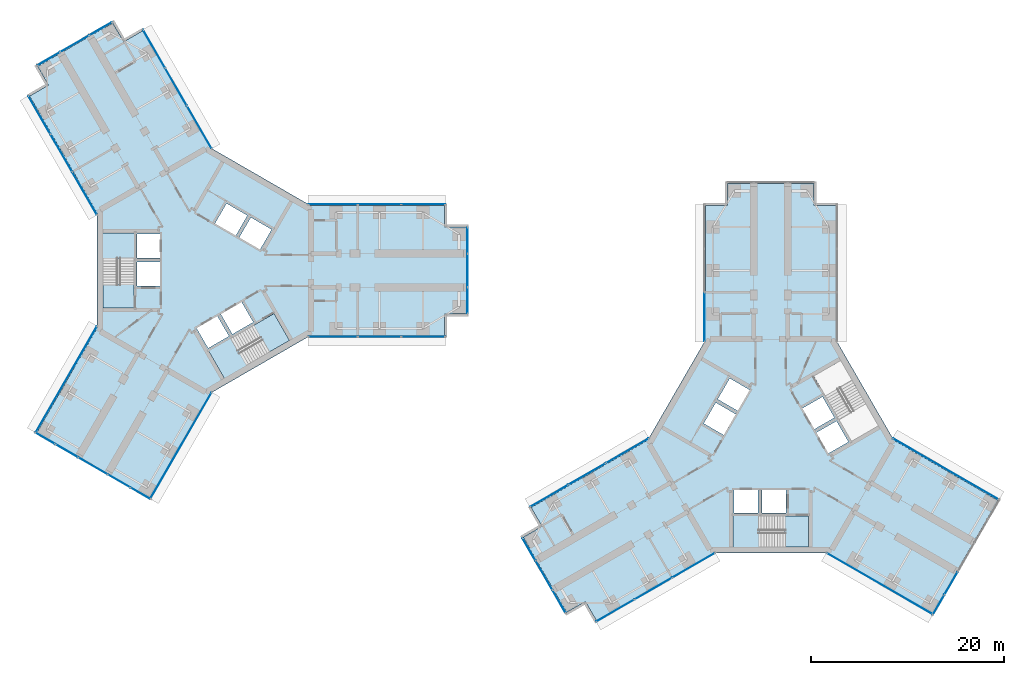
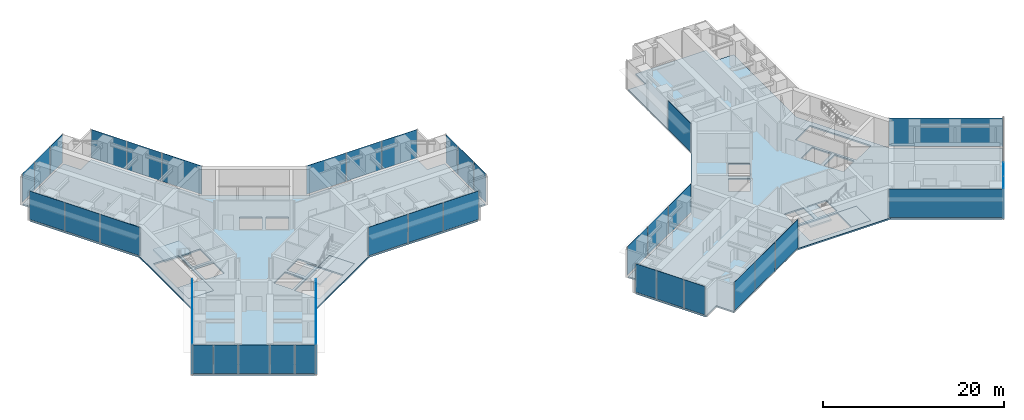
# One storey, part 13 of 21: 39 plates, 8 slabs, 19 elements without a shape of their own.
"""IFC4 building model written with IfcOpenShell, lengths in metres."""

from ifc_helpers import new_model, si_unit, direction, frame, origin, origin_2d, place, context, subcontext, project, spatial, polyline, rectangle, outline, extrude, material, layer, layer_set, type_object, element, aggregate, save


model = new_model("IFC4")

# Units and contexts
model_context = context("Model", 3, precision=1e-05, world=origin(), true_north=direction((0.0, 1.0)))
body_context = subcontext(model_context, "Body", "Model", "MODEL_VIEW")
ifc_project = project(units=[si_unit("LENGTHUNIT", "METRE"), si_unit("AREAUNIT", "SQUARE_METRE"), si_unit("VOLUMEUNIT", "CUBIC_METRE"), si_unit("PLANEANGLEUNIT", "RADIAN"), si_unit("MASSUNIT", "GRAM", prefix="KILO")], contexts=[model_context])

# Site, building, storey
site_placement = place(None, origin())
site = spatial("IfcSite", under=ifc_project, at=site_placement, CompositionType="ELEMENT")
building_placement = place(site_placement, origin())
building = spatial("IfcBuilding", under=site, at=building_placement, Name="Upepo Twin Towers", CompositionType="ELEMENT")
storey_placement = place(building_placement, frame((0.0, 0.0, 101.5)))
storey = spatial("IfcBuildingStorey", under=building, at=storey_placement, Name="L24", CompositionType="ELEMENT", Elevation=101.5)

# Curtain wall, plates
ifc_material_1 = material(Name="Aluminium and fritted glass", Category="aluminium")
curtain_wall_type = type_object("IfcCurtainWallType", Name="Tower curtain wall TW2, fritted glass", PredefinedType="NOTDEFINED", material=ifc_material_1)
curtain_wall_1_placement = place(storey_placement, origin())
curtain_wall_1 = element("IfcCurtainWall", 1, at=curtain_wall_1_placement, inside=storey, type_object=curtain_wall_type, Name="T1 L24 wing A flank L curtain wall", PredefinedType="NOTDEFINED")
ifc_material_2 = material(Name="Ceramic-fritted laminated glass", Category="glass")
ifc_layer_1 = layer(ifc_material_2, 0.031982421875)
ifc_layer_set_1 = layer_set([ifc_layer_1], Name="Fritted glass panel, 35 per cent dot frit, 32 mm double glazed")
plate_type_1 = type_object("IfcPlateType", Name="Fritted glass panel, 35 per cent dot frit, 32 mm double glazed", PredefinedType="CURTAIN_PANEL", material=ifc_layer_set_1)
plate_1_placement = place(storey_placement, frame((13.184814453125, 6.85009765625, 0.14990234375), z_axis=(0.0, 0.0, 1.0), x_axis=(1.0, 0.0, 0.0)))
plate_1 = element("IfcPlate", 2, at=plate_1_placement, type_object=plate_type_1, Name="T1 L24 wing A flank L curtain wall panel 1", PredefinedType="CURTAIN_PANEL", context=body_context, shape_type="SweptSolid", body=[
    extrude(rectangle(XDim=5.0654296875, YDim=0.031982421875, at=origin_2d()), origin(), (0.0, 0.0, 1.0), 3.85009765625),
])
plate_2_placement = place(storey_placement, frame((18.0, 6.85009765625, 0.14990234375), z_axis=(0.0, 0.0, 1.0), x_axis=(1.0, 0.0, 0.0)))
plate_2 = element("IfcPlate", 3, at=plate_2_placement, type_object=plate_type_1, Name="T1 L24 wing A flank L curtain wall panel 2", PredefinedType="CURTAIN_PANEL", context=body_context, shape_type="SweptSolid", body=[
    extrude(rectangle(XDim=4.43505859375, YDim=0.031982421875, at=origin_2d()), origin(), (0.0, 0.0, 1.0), 3.85009765625),
])
plate_3_placement = place(storey_placement, frame((22.53369140625, 6.85009765625, 0.14990234375), z_axis=(0.0, 0.0, 1.0), x_axis=(1.0, 0.0, 0.0)))
plate_3 = element("IfcPlate", 4, at=plate_3_placement, type_object=plate_type_1, Name="T1 L24 wing A flank L curtain wall panel 3", PredefinedType="CURTAIN_PANEL", context=body_context, shape_type="SweptSolid", body=[
    extrude(rectangle(XDim=4.50244140625, YDim=0.031982421875, at=origin_2d()), origin(), (0.0, 0.0, 1.0), 3.85009765625),
])
aggregate(curtain_wall_1, [plate_1, plate_2, plate_3])

curtain_wall_2_placement = place(storey_placement, origin())
curtain_wall_2 = element("IfcCurtainWall", 5, at=curtain_wall_2_placement, inside=storey, type_object=curtain_wall_type, Name="T1 L24 wing A flank R curtain wall", PredefinedType="NOTDEFINED")
plate_4_placement = place(storey_placement, frame((22.53369140625, -6.85009765625, 0.14990234375), z_axis=(0.0, 0.0, 1.0), x_axis=(-1.0, 0.0, 0.0)))
plate_4 = element("IfcPlate", 6, at=plate_4_placement, type_object=plate_type_1, Name="T1 L24 wing A flank R curtain wall panel 1", PredefinedType="CURTAIN_PANEL", context=body_context, shape_type="SweptSolid", body=[
    extrude(rectangle(XDim=4.50244140625, YDim=0.031982421875, at=origin_2d()), origin(), (0.0, 0.0, 1.0), 3.85009765625),
])
plate_5_placement = place(storey_placement, frame((18.0, -6.85009765625, 0.14990234375), z_axis=(0.0, 0.0, 1.0), x_axis=(-1.0, 0.0, 0.0)))
plate_5 = element("IfcPlate", 7, at=plate_5_placement, type_object=plate_type_1, Name="T1 L24 wing A flank R curtain wall panel 2", PredefinedType="CURTAIN_PANEL", context=body_context, shape_type="SweptSolid", body=[
    extrude(rectangle(XDim=4.43505859375, YDim=0.031982421875, at=origin_2d()), origin(), (0.0, 0.0, 1.0), 3.85009765625),
])
plate_6_placement = place(storey_placement, frame((13.184814453125, -6.85009765625, 0.14990234375), z_axis=(0.0, 0.0, 1.0), x_axis=(-1.0, 0.0, 0.0)))
plate_6 = element("IfcPlate", 8, at=plate_6_placement, type_object=plate_type_1, Name="T1 L24 wing A flank R curtain wall panel 3", PredefinedType="CURTAIN_PANEL", context=body_context, shape_type="SweptSolid", body=[
    extrude(rectangle(XDim=5.0654296875, YDim=0.031982421875, at=origin_2d()), origin(), (0.0, 0.0, 1.0), 3.85009765625),
])
aggregate(curtain_wall_2, [plate_4, plate_5, plate_6])

# Curtain wall, plate
curtain_wall_3_placement = place(storey_placement, origin())
curtain_wall_3 = element("IfcCurtainWall", 9, at=curtain_wall_3_placement, inside=storey, type_object=curtain_wall_type, Name="T1 L24 wing A nose curtain wall", PredefinedType="NOTDEFINED")
plate_7_placement = place(storey_placement, frame((27.10009765625, 0.0, 0.14990234375), z_axis=(0.0, 0.0, 1.0), x_axis=(0.0, 1.0, 0.0)))
plate_7 = element("IfcPlate", 10, at=plate_7_placement, type_object=plate_type_1, Name="T1 L24 wing A nose curtain wall panel 2", PredefinedType="CURTAIN_PANEL", context=body_context, shape_type="SweptSolid", body=[
    extrude(rectangle(XDim=3.43505859375, YDim=0.031982421875, at=origin_2d()), origin(), (0.0, 0.0, 1.0), 3.85009765625),
])

# Curtain wall, plates
curtain_wall_4_placement = place(storey_placement, origin())
curtain_wall_4 = element("IfcCurtainWall", 11, at=curtain_wall_4_placement, inside=storey, type_object=curtain_wall_type, Name="T1 L24 wing B flank L curtain wall", PredefinedType="NOTDEFINED")
plate_8_placement = place(storey_placement, frame((-12.524658203125, 7.993408203125, 0.14990234375), z_axis=(0.0, 0.0, 1.0), x_axis=(-0.500000010308, 0.866025397833, 0.0)))
plate_8 = element("IfcPlate", 12, at=plate_8_placement, type_object=plate_type_1, Name="T1 L24 wing B flank L curtain wall panel 1", PredefinedType="CURTAIN_PANEL", context=body_context, shape_type="SweptSolid", body=[
    extrude(rectangle(XDim=5.0654296875, YDim=0.031982421875, at=origin_2d()), origin(), (0.0, 0.0, 1.0), 3.85009765625),
])
plate_9_placement = place(storey_placement, frame((-14.932373046875, 12.16357421875, 0.14990234375), z_axis=(0.0, 0.0, 1.0), x_axis=(-0.500000010308, 0.866025397833, 0.0)))
plate_9 = element("IfcPlate", 13, at=plate_9_placement, type_object=plate_type_1, Name="T1 L24 wing B flank L curtain wall panel 2", PredefinedType="CURTAIN_PANEL", context=body_context, shape_type="SweptSolid", body=[
    extrude(rectangle(XDim=4.43505859375, YDim=0.031982421875, at=origin_2d()), origin(), (0.0, 0.0, 1.0), 3.85009765625),
])
plate_10_placement = place(storey_placement, frame((-17.19921875, 16.08984375, 0.14990234375), z_axis=(0.0, 0.0, 1.0), x_axis=(-0.500000010308, 0.866025397833, 0.0)))
plate_10 = element("IfcPlate", 14, at=plate_10_placement, type_object=plate_type_1, Name="T1 L24 wing B flank L curtain wall panel 3", PredefinedType="CURTAIN_PANEL", context=body_context, shape_type="SweptSolid", body=[
    extrude(rectangle(XDim=4.50244140625, YDim=0.031982421875, at=origin_2d()), origin(), (0.0, 0.0, 1.0), 3.85009765625),
])
aggregate(curtain_wall_4, [plate_8, plate_9, plate_10])

curtain_wall_5_placement = place(storey_placement, origin())
curtain_wall_5 = element("IfcCurtainWall", 15, at=curtain_wall_5_placement, inside=storey, type_object=curtain_wall_type, Name="T1 L24 wing B flank R curtain wall", PredefinedType="NOTDEFINED")
plate_11_placement = place(storey_placement, frame((-5.334716796875, 22.939697265625, 0.14990234375), z_axis=(0.0, 0.0, 1.0), x_axis=(0.500000010308, -0.866025397833, 0.0)))
plate_11 = element("IfcPlate", 16, at=plate_11_placement, type_object=plate_type_1, Name="T1 L24 wing B flank R curtain wall panel 1", PredefinedType="CURTAIN_PANEL", context=body_context, shape_type="SweptSolid", body=[
    extrude(rectangle(XDim=4.50244140625, YDim=0.031982421875, at=origin_2d()), origin(), (0.0, 0.0, 1.0), 3.85009765625),
])
plate_12_placement = place(storey_placement, frame((-3.067626953125, 19.013427734375, 0.14990234375), z_axis=(0.0, 0.0, 1.0), x_axis=(0.500000010308, -0.866025397833, 0.0)))
plate_12 = element("IfcPlate", 17, at=plate_12_placement, type_object=plate_type_1, Name="T1 L24 wing B flank R curtain wall panel 2", PredefinedType="CURTAIN_PANEL", context=body_context, shape_type="SweptSolid", body=[
    extrude(rectangle(XDim=4.43505859375, YDim=0.031982421875, at=origin_2d()), origin(), (0.0, 0.0, 1.0), 3.85009765625),
])
plate_13_placement = place(storey_placement, frame((-0.66015625, 14.84326171875, 0.14990234375), z_axis=(0.0, 0.0, 1.0), x_axis=(0.500000010308, -0.866025397833, 0.0)))
plate_13 = element("IfcPlate", 18, at=plate_13_placement, type_object=plate_type_1, Name="T1 L24 wing B flank R curtain wall panel 3", PredefinedType="CURTAIN_PANEL", context=body_context, shape_type="SweptSolid", body=[
    extrude(rectangle(XDim=5.0654296875, YDim=0.031982421875, at=origin_2d()), origin(), (0.0, 0.0, 1.0), 3.85009765625),
])
aggregate(curtain_wall_5, [plate_11, plate_12, plate_13])

# Curtain wall, plate
curtain_wall_6_placement = place(storey_placement, origin())
curtain_wall_6 = element("IfcCurtainWall", 19, at=curtain_wall_6_placement, inside=storey, type_object=curtain_wall_type, Name="T1 L24 wing B nose curtain wall", PredefinedType="NOTDEFINED")
plate_14_placement = place(storey_placement, frame((-13.550048828125, 23.46923828125, 0.14990234375), z_axis=(0.0, 0.0, 1.0), x_axis=(-0.866025386174, -0.500000030502, 0.0)))
plate_14 = element("IfcPlate", 20, at=plate_14_placement, type_object=plate_type_1, Name="T1 L24 wing B nose curtain wall panel 2", PredefinedType="CURTAIN_PANEL", context=body_context, shape_type="SweptSolid", body=[
    extrude(rectangle(XDim=3.43505859375, YDim=0.031982421875, at=origin_2d()), origin(), (0.0, 0.0, 1.0), 3.85009765625),
])

curtain_wall_7_placement = place(storey_placement, origin())
curtain_wall_7 = element("IfcCurtainWall", 21, at=curtain_wall_7_placement, inside=storey, type_object=curtain_wall_type, Name="T1 L24 wing C flank L curtain wall", PredefinedType="NOTDEFINED")
plate_15_placement = place(storey_placement, frame((-2.552001953125, -18.1201171875, 0.14990234375), z_axis=(0.0, 0.0, 1.0), x_axis=(-0.50000000792, -0.866025399212, 0.0)))
plate_15 = element("IfcPlate", 22, at=plate_15_placement, type_object=plate_type_1, Name="T1 L24 wing C flank L curtain wall panel 1", PredefinedType="CURTAIN_PANEL", context=body_context, shape_type="SweptSolid", body=[
    extrude(rectangle(XDim=12.6328125, YDim=0.031982421875, at=origin_2d()), origin(), (0.0, 0.0, 1.0), 3.85009765625),
])
aggregate(curtain_wall_7, [plate_15])

curtain_wall_8_placement = place(storey_placement, origin())
curtain_wall_8 = element("IfcCurtainWall", 23, at=curtain_wall_8_placement, inside=storey, type_object=curtain_wall_type, Name="T1 L24 wing C flank R curtain wall", PredefinedType="NOTDEFINED")
plate_16_placement = place(storey_placement, frame((-14.41650390625, -11.270263671875, 0.14990234375), z_axis=(0.0, 0.0, 1.0), x_axis=(0.50000000792, 0.866025399212, 0.0)))
plate_16 = element("IfcPlate", 24, at=plate_16_placement, type_object=plate_type_1, Name="T1 L24 wing C flank R curtain wall panel 1", PredefinedType="CURTAIN_PANEL", context=body_context, shape_type="SweptSolid", body=[
    extrude(rectangle(XDim=12.6328125, YDim=0.031982421875, at=origin_2d()), origin(), (0.0, 0.0, 1.0), 3.85009765625),
])
aggregate(curtain_wall_8, [plate_16])

# Curtain wall, plates
curtain_wall_9_placement = place(storey_placement, origin())
curtain_wall_9 = element("IfcCurtainWall", 25, at=curtain_wall_9_placement, inside=storey, type_object=curtain_wall_type, Name="T1 L24 wing C nose curtain wall", PredefinedType="NOTDEFINED")
plate_17_placement = place(storey_placement, frame((-14.38134765625, -18.6591796875, 0.14990234375), z_axis=(0.0, 0.0, 1.0), x_axis=(0.866025419745, -0.499999972355, 0.0)))
plate_17 = element("IfcPlate", 26, at=plate_17_placement, type_object=plate_type_1, Name="T1 L24 wing C nose curtain wall panel 2", PredefinedType="CURTAIN_PANEL", context=body_context, shape_type="SweptSolid", body=[
    extrude(rectangle(XDim=2.68505859375, YDim=0.031982421875, at=origin_2d()), origin(), (0.0, 0.0, 1.0), 3.85009765625),
])
plate_18_placement = place(storey_placement, frame((-11.675048828125, -20.2216796875, 0.14990234375), z_axis=(0.0, 0.0, 1.0), x_axis=(0.866025419745, -0.499999972355, 0.0)))
plate_18 = element("IfcPlate", 27, at=plate_18_placement, type_object=plate_type_1, Name="T1 L24 wing C nose curtain wall panel 3", PredefinedType="CURTAIN_PANEL", context=body_context, shape_type="SweptSolid", body=[
    extrude(rectangle(XDim=3.43505859375, YDim=0.031982421875, at=origin_2d()), origin(), (0.0, 0.0, 1.0), 3.85009765625),
])
plate_19_placement = place(storey_placement, frame((-8.96875, -21.7841796875, 0.14990234375), z_axis=(0.0, 0.0, 1.0), x_axis=(0.866025419745, -0.499999972355, 0.0)))
plate_19 = element("IfcPlate", 28, at=plate_19_placement, type_object=plate_type_1, Name="T1 L24 wing C nose curtain wall panel 4", PredefinedType="CURTAIN_PANEL", context=body_context, shape_type="SweptSolid", body=[
    extrude(rectangle(XDim=2.68505859375, YDim=0.031982421875, at=origin_2d()), origin(), (0.0, 0.0, 1.0), 3.85009765625),
])

# Curtain wall, plate
curtain_wall_10_placement = place(storey_placement, origin())
curtain_wall_10 = element("IfcCurtainWall", 29, at=curtain_wall_10_placement, inside=storey, type_object=curtain_wall_type, Name="T2 L24 wing A flank L curtain wall", PredefinedType="NOTDEFINED")
plate_20_placement = place(storey_placement, frame((51.64990234375, -4.815185546875, 0.14990234375), z_axis=(0.0, 0.0, 1.0), x_axis=(0.0, 1.0, 0.0)))
plate_20 = element("IfcPlate", 30, at=plate_20_placement, type_object=plate_type_1, Name="T2 L24 wing A flank L curtain wall panel 1", PredefinedType="CURTAIN_PANEL", context=body_context, shape_type="SweptSolid", body=[
    extrude(rectangle(XDim=5.0654296875, YDim=0.031982421875, at=origin_2d()), origin(), (0.0, 0.0, 1.0), 3.85009765625),
])
aggregate(curtain_wall_10, [plate_20])

# Curtain wall, plates
curtain_wall_11_placement = place(storey_placement, origin())
curtain_wall_11 = element("IfcCurtainWall", 31, at=curtain_wall_11_placement, inside=storey, type_object=curtain_wall_type, Name="T2 L24 wing B flank L curtain wall", PredefinedType="NOTDEFINED")
plate_21_placement = place(storey_placement, frame((50.506591796875, -30.524658203125, 0.14990234375), z_axis=(0.0, 0.0, 1.0), x_axis=(-0.866025397833, -0.500000010308, 0.0)))
plate_21 = element("IfcPlate", 32, at=plate_21_placement, type_object=plate_type_1, Name="T2 L24 wing B flank L curtain wall panel 1", PredefinedType="CURTAIN_PANEL", context=body_context, shape_type="SweptSolid", body=[
    extrude(rectangle(XDim=5.0654296875, YDim=0.031982421875, at=origin_2d()), origin(), (0.0, 0.0, 1.0), 3.85009765625),
])
plate_22_placement = place(storey_placement, frame((46.33642578125, -32.932373046875, 0.14990234375), z_axis=(0.0, 0.0, 1.0), x_axis=(-0.866025397833, -0.500000010308, 0.0)))
plate_22 = element("IfcPlate", 33, at=plate_22_placement, type_object=plate_type_1, Name="T2 L24 wing B flank L curtain wall panel 2", PredefinedType="CURTAIN_PANEL", context=body_context, shape_type="SweptSolid", body=[
    extrude(rectangle(XDim=4.43505859375, YDim=0.031982421875, at=origin_2d()), origin(), (0.0, 0.0, 1.0), 3.85009765625),
])
plate_23_placement = place(storey_placement, frame((42.41015625, -35.19921875, 0.14990234375), z_axis=(0.0, 0.0, 1.0), x_axis=(-0.866025397833, -0.500000010308, 0.0)))
plate_23 = element("IfcPlate", 34, at=plate_23_placement, type_object=plate_type_1, Name="T2 L24 wing B flank L curtain wall panel 3", PredefinedType="CURTAIN_PANEL", context=body_context, shape_type="SweptSolid", body=[
    extrude(rectangle(XDim=4.50244140625, YDim=0.031982421875, at=origin_2d()), origin(), (0.0, 0.0, 1.0), 3.85009765625),
])
aggregate(curtain_wall_11, [plate_21, plate_22, plate_23])

curtain_wall_12_placement = place(storey_placement, origin())
curtain_wall_12 = element("IfcCurtainWall", 35, at=curtain_wall_12_placement, inside=storey, type_object=curtain_wall_type, Name="T2 L24 wing B flank R curtain wall", PredefinedType="NOTDEFINED")
plate_24_placement = place(storey_placement, frame((35.560302734375, -23.334716796875, 0.14990234375), z_axis=(0.0, 0.0, 1.0), x_axis=(0.866025397833, 0.500000010308, 0.0)))
plate_24 = element("IfcPlate", 36, at=plate_24_placement, type_object=plate_type_1, Name="T2 L24 wing B flank R curtain wall panel 1", PredefinedType="CURTAIN_PANEL", context=body_context, shape_type="SweptSolid", body=[
    extrude(rectangle(XDim=4.50244140625, YDim=0.031982421875, at=origin_2d()), origin(), (0.0, 0.0, 1.0), 3.85009765625),
])
plate_25_placement = place(storey_placement, frame((39.486572265625, -21.067626953125, 0.14990234375), z_axis=(0.0, 0.0, 1.0), x_axis=(0.866025397833, 0.500000010308, 0.0)))
plate_25 = element("IfcPlate", 37, at=plate_25_placement, type_object=plate_type_1, Name="T2 L24 wing B flank R curtain wall panel 2", PredefinedType="CURTAIN_PANEL", context=body_context, shape_type="SweptSolid", body=[
    extrude(rectangle(XDim=4.43505859375, YDim=0.031982421875, at=origin_2d()), origin(), (0.0, 0.0, 1.0), 3.85009765625),
])
plate_26_placement = place(storey_placement, frame((43.65673828125, -18.66015625, 0.14990234375), z_axis=(0.0, 0.0, 1.0), x_axis=(0.866025397833, 0.500000010308, 0.0)))
plate_26 = element("IfcPlate", 38, at=plate_26_placement, type_object=plate_type_1, Name="T2 L24 wing B flank R curtain wall panel 3", PredefinedType="CURTAIN_PANEL", context=body_context, shape_type="SweptSolid", body=[
    extrude(rectangle(XDim=5.0654296875, YDim=0.031982421875, at=origin_2d()), origin(), (0.0, 0.0, 1.0), 3.85009765625),
])
aggregate(curtain_wall_12, [plate_24, plate_25, plate_26])

# Curtain wall, plate
curtain_wall_13_placement = place(storey_placement, origin())
curtain_wall_13 = element("IfcCurtainWall", 39, at=curtain_wall_13_placement, inside=storey, type_object=curtain_wall_type, Name="T2 L24 wing B nose curtain wall", PredefinedType="NOTDEFINED")
plate_27_placement = place(storey_placement, frame((35.03076171875, -31.550048828125, 0.14990234375), z_axis=(0.0, 0.0, 1.0), x_axis=(0.500000030502, -0.866025386174, 0.0)))
plate_27 = element("IfcPlate", 40, at=plate_27_placement, type_object=plate_type_1, Name="T2 L24 wing B nose curtain wall panel 2", PredefinedType="CURTAIN_PANEL", context=body_context, shape_type="SweptSolid", body=[
    extrude(rectangle(XDim=3.43505859375, YDim=0.031982421875, at=origin_2d()), origin(), (0.0, 0.0, 1.0), 3.85009765625),
])

curtain_wall_14_placement = place(storey_placement, origin())
curtain_wall_14 = element("IfcCurtainWall", 41, at=curtain_wall_14_placement, inside=storey, type_object=curtain_wall_type, Name="T2 L24 wing C flank L curtain wall", PredefinedType="NOTDEFINED")
plate_28_placement = place(storey_placement, frame((76.6201171875, -20.552001953125, 0.14990234375), z_axis=(0.0, 0.0, 1.0), x_axis=(0.866025399212, -0.50000000792, 0.0)))
plate_28 = element("IfcPlate", 42, at=plate_28_placement, type_object=plate_type_1, Name="T2 L24 wing C flank L curtain wall panel 1", PredefinedType="CURTAIN_PANEL", context=body_context, shape_type="SweptSolid", body=[
    extrude(rectangle(XDim=12.6328125, YDim=0.031982421875, at=origin_2d()), origin(), (0.0, 0.0, 1.0), 3.85009765625),
])
aggregate(curtain_wall_14, [plate_28])

curtain_wall_15_placement = place(storey_placement, origin())
curtain_wall_15 = element("IfcCurtainWall", 43, at=curtain_wall_15_placement, inside=storey, type_object=curtain_wall_type, Name="T2 L24 wing C flank R curtain wall", PredefinedType="NOTDEFINED")
plate_29_placement = place(storey_placement, frame((69.770263671875, -32.41650390625, 0.14990234375), z_axis=(0.0, 0.0, 1.0), x_axis=(-0.866025399212, 0.50000000792, 0.0)))
plate_29 = element("IfcPlate", 44, at=plate_29_placement, type_object=plate_type_1, Name="T2 L24 wing C flank R curtain wall panel 1", PredefinedType="CURTAIN_PANEL", context=body_context, shape_type="SweptSolid", body=[
    extrude(rectangle(XDim=12.6328125, YDim=0.031982421875, at=origin_2d()), origin(), (0.0, 0.0, 1.0), 3.85009765625),
])
aggregate(curtain_wall_15, [plate_29])

curtain_wall_16_placement = place(storey_placement, origin())
curtain_wall_16 = element("IfcCurtainWall", 45, at=curtain_wall_16_placement, inside=storey, type_object=curtain_wall_type, Name="T2 L24 wing C nose curtain wall", PredefinedType="NOTDEFINED")
plate_30_placement = place(storey_placement, frame((77.1591796875, -32.38134765625, 0.14990234375), z_axis=(0.0, 0.0, 1.0), x_axis=(0.499999972355, 0.866025419745, 0.0)))
plate_30 = element("IfcPlate", 46, at=plate_30_placement, type_object=plate_type_1, Name="T2 L24 wing C nose curtain wall panel 2", PredefinedType="CURTAIN_PANEL", context=body_context, shape_type="SweptSolid", body=[
    extrude(rectangle(XDim=2.68505859375, YDim=0.031982421875, at=origin_2d()), origin(), (0.0, 0.0, 1.0), 3.85009765625),
])

# Plate
ifc_material_3 = material(Name="Clear laminated glass in opening sash", Category="glass")
ifc_layer_2 = layer(ifc_material_3, 0.031982421875)
ifc_layer_set_2 = layer_set([ifc_layer_2], Name="Operable glass panel, 32 mm double glazed")
plate_type_2 = type_object("IfcPlateType", Name="Operable glass panel, 32 mm double glazed", PredefinedType="CURTAIN_PANEL", material=ifc_layer_set_2)
plate_31_placement = place(storey_placement, frame((27.10009765625, -3.108642578125, 0.14990234375), z_axis=(0.0, 0.0, 1.0), x_axis=(0.0, 1.0, 0.0)))
plate_31 = element("IfcPlate", 47, at=plate_31_placement, type_object=plate_type_2, Name="T1 L24 wing A nose curtain wall panel 1", PredefinedType="CURTAIN_PANEL", context=body_context, shape_type="SweptSolid", body=[
    extrude(rectangle(XDim=2.652587890625, YDim=0.031982421875, at=origin_2d()), origin(), (0.0, 0.0, 1.0), 3.85009765625),
])

plate_32_placement = place(storey_placement, frame((27.10009765625, 3.108642578125, 0.14990234375), z_axis=(0.0, 0.0, 1.0), x_axis=(0.0, 1.0, 0.0)))
plate_32 = element("IfcPlate", 48, at=plate_32_placement, type_object=plate_type_2, Name="T1 L24 wing A nose curtain wall panel 3", PredefinedType="CURTAIN_PANEL", context=body_context, shape_type="SweptSolid", body=[
    extrude(rectangle(XDim=2.652587890625, YDim=0.031982421875, at=origin_2d()), origin(), (0.0, 0.0, 1.0), 3.85009765625),
])

aggregate(curtain_wall_3, [plate_31, plate_7, plate_32])

plate_33_placement = place(storey_placement, frame((-10.857666015625, 25.023681640625, 0.14990234375), z_axis=(0.0, 0.0, 1.0), x_axis=(-0.866025386174, -0.500000030502, 0.0)))
plate_33 = element("IfcPlate", 49, at=plate_33_placement, type_object=plate_type_2, Name="T1 L24 wing B nose curtain wall panel 1", PredefinedType="CURTAIN_PANEL", context=body_context, shape_type="SweptSolid", body=[
    extrude(rectangle(XDim=2.652587890625, YDim=0.031982421875, at=origin_2d()), origin(), (0.0, 0.0, 1.0), 3.85009765625),
])

plate_34_placement = place(storey_placement, frame((-16.2421875, 21.914794921875, 0.14990234375), z_axis=(0.0, 0.0, 1.0), x_axis=(-0.866025386174, -0.500000030502, 0.0)))
plate_34 = element("IfcPlate", 50, at=plate_34_placement, type_object=plate_type_2, Name="T1 L24 wing B nose curtain wall panel 3", PredefinedType="CURTAIN_PANEL", context=body_context, shape_type="SweptSolid", body=[
    extrude(rectangle(XDim=2.652587890625, YDim=0.031982421875, at=origin_2d()), origin(), (0.0, 0.0, 1.0), 3.85009765625),
])

aggregate(curtain_wall_6, [plate_33, plate_14, plate_34])

plate_35_placement = place(storey_placement, frame((-16.618896484375, -17.367431640625, 0.14990234375), z_axis=(0.0, 0.0, 1.0), x_axis=(0.866025419745, -0.499999972355, 0.0)))
plate_35 = element("IfcPlate", 51, at=plate_35_placement, type_object=plate_type_2, Name="T1 L24 wing C nose curtain wall panel 1", PredefinedType="CURTAIN_PANEL", context=body_context, shape_type="SweptSolid", body=[
    extrude(rectangle(XDim=2.3525390625, YDim=0.031982421875, at=origin_2d()), origin(), (0.0, 0.0, 1.0), 3.85009765625),
])

plate_36_placement = place(storey_placement, frame((-6.73095703125, -23.076171875, 0.14990234375), z_axis=(0.0, 0.0, 1.0), x_axis=(0.866025419745, -0.499999972355, 0.0)))
plate_36 = element("IfcPlate", 52, at=plate_36_placement, type_object=plate_type_2, Name="T1 L24 wing C nose curtain wall panel 5", PredefinedType="CURTAIN_PANEL", context=body_context, shape_type="SweptSolid", body=[
    extrude(rectangle(XDim=2.3525390625, YDim=0.031982421875, at=origin_2d()), origin(), (0.0, 0.0, 1.0), 3.85009765625),
])

aggregate(curtain_wall_9, [plate_35, plate_17, plate_18, plate_19, plate_36])

plate_37_placement = place(storey_placement, frame((33.476318359375, -28.857666015625, 0.14990234375), z_axis=(0.0, 0.0, 1.0), x_axis=(0.500000030502, -0.866025386174, 0.0)))
plate_37 = element("IfcPlate", 53, at=plate_37_placement, type_object=plate_type_2, Name="T2 L24 wing B nose curtain wall panel 1", PredefinedType="CURTAIN_PANEL", context=body_context, shape_type="SweptSolid", body=[
    extrude(rectangle(XDim=2.652587890625, YDim=0.031982421875, at=origin_2d()), origin(), (0.0, 0.0, 1.0), 3.85009765625),
])

plate_38_placement = place(storey_placement, frame((36.585205078125, -34.2421875, 0.14990234375), z_axis=(0.0, 0.0, 1.0), x_axis=(0.500000030502, -0.866025386174, 0.0)))
plate_38 = element("IfcPlate", 54, at=plate_38_placement, type_object=plate_type_2, Name="T2 L24 wing B nose curtain wall panel 3", PredefinedType="CURTAIN_PANEL", context=body_context, shape_type="SweptSolid", body=[
    extrude(rectangle(XDim=2.652587890625, YDim=0.031982421875, at=origin_2d()), origin(), (0.0, 0.0, 1.0), 3.85009765625),
])

aggregate(curtain_wall_13, [plate_37, plate_27, plate_38])

plate_39_placement = place(storey_placement, frame((75.867431640625, -34.618896484375, 0.14990234375), z_axis=(0.0, 0.0, 1.0), x_axis=(0.499999972355, 0.866025419745, 0.0)))
plate_39 = element("IfcPlate", 55, at=plate_39_placement, type_object=plate_type_2, Name="T2 L24 wing C nose curtain wall panel 1", PredefinedType="CURTAIN_PANEL", context=body_context, shape_type="SweptSolid", body=[
    extrude(rectangle(XDim=2.3525390625, YDim=0.031982421875, at=origin_2d()), origin(), (0.0, 0.0, 1.0), 3.85009765625),
])

aggregate(curtain_wall_16, [plate_39, plate_30])

# Stair, slabs
ifc_material_4 = material(Name="Concrete C40/50", Category="concrete")
stair_type = type_object("IfcStairType", Name="Core stair, two flights", PredefinedType="HALF_TURN_STAIR", material=ifc_material_4)
stair_1_placement = place(storey_placement, origin())
stair_1 = element("IfcStair", 56, at=stair_1_placement, inside=storey, type_object=stair_type, Name="T1 stair S1 L24", PredefinedType="HALF_TURN_STAIR")
ifc_material_5 = material(Name="Concrete C40/50", Category="concrete")
ifc_layer_3 = layer(ifc_material_5, 0.199951171875)
ifc_layer_set_3 = layer_set([ifc_layer_3], Name="Concrete C40/50")
slab_type_1 = type_object("IfcSlabType", Name="Stair landing 200 RC", PredefinedType="LANDING", material=ifc_layer_set_3)
slab_1_placement = place(storey_placement, frame((0.0, 0.0, -0.199951171875)))
slab_1 = element("IfcSlab", 57, at=slab_1_placement, type_object=slab_type_1, Name="Stair S1 landing 1", PredefinedType="LANDING", context=body_context, shape_type="SweptSolid", body=[
    extrude(outline(polyline([(-7.39990234375, -1.419921875), (-10.6083984375, -1.419921875), (-10.6083984375, -3.89990234375), (-7.39990234375, -3.89990234375), (-7.39990234375, -1.419921875)])), origin(), (0.0, 0.0, 1.0), 0.199951171875),
])
slab_2_placement = place(storey_placement, frame((0.0, 0.0, 1.800048828125)))
slab_2 = element("IfcSlab", 58, at=slab_2_placement, type_object=slab_type_1, Name="Stair S1 landing 2", PredefinedType="LANDING", context=body_context, shape_type="SweptSolid", body=[
    extrude(outline(polyline([(-7.300048828125, 3.89990234375), (-10.708251953125, 3.89990234375), (-10.708251953125, 1.179931640625), (-7.300048828125, 1.179931640625), (-7.300048828125, 3.89990234375)])), origin(), (0.0, 0.0, 1.0), 0.199951171875),
])
aggregate(stair_1, [slab_1, slab_2])

stair_2_placement = place(storey_placement, origin())
stair_2 = element("IfcStair", 59, at=stair_2_placement, inside=storey, type_object=stair_type, Name="T1 stair S2 L24", PredefinedType="HALF_TURN_STAIR")
slab_3_placement = place(storey_placement, frame((0.0, 0.0, -0.199951171875)))
slab_3 = element("IfcSlab", 60, at=slab_3_placement, type_object=slab_type_1, Name="Stair S2 landing 1", PredefinedType="LANDING", context=body_context, shape_type="SweptSolid", body=[
    extrude(outline(polyline([(4.9296875, -5.698486328125), (6.533935546875, -8.47705078125), (8.681640625, -7.237060546875), (7.077392578125, -4.45849609375), (4.9296875, -5.698486328125)])), origin(), (0.0, 0.0, 1.0), 0.199951171875),
])
slab_4_placement = place(storey_placement, frame((0.0, 0.0, 1.800048828125)))
slab_4 = element("IfcSlab", 61, at=slab_4_placement, type_object=slab_type_1, Name="Stair S2 landing 2", PredefinedType="LANDING", context=body_context, shape_type="SweptSolid", body=[
    extrude(outline(polyline([(0.2724609375, -8.27197265625), (1.9765625, -11.2236328125), (4.332275390625, -9.86376953125), (2.628173828125, -6.911865234375), (0.2724609375, -8.27197265625)])), origin(), (0.0, 0.0, 1.0), 0.199951171875),
])
aggregate(stair_2, [slab_3, slab_4])

stair_3_placement = place(storey_placement, origin())
stair_3 = element("IfcStair", 62, at=stair_3_placement, inside=storey, type_object=stair_type, Name="T2 stair S1 L24", PredefinedType="HALF_TURN_STAIR")
slab_5_placement = place(storey_placement, frame((0.0, 0.0, -0.199951171875)))
slab_5 = element("IfcSlab", 63, at=slab_5_placement, type_object=slab_type_1, Name="Stair S1 landing 1", PredefinedType="LANDING", context=body_context, shape_type="SweptSolid", body=[
    extrude(outline(polyline([(59.919921875, -25.39990234375), (59.919921875, -28.6083984375), (62.39990234375, -28.6083984375), (62.39990234375, -25.39990234375), (59.919921875, -25.39990234375)])), origin(), (0.0, 0.0, 1.0), 0.199951171875),
])
slab_6_placement = place(storey_placement, frame((0.0, 0.0, 1.800048828125)))
slab_6 = element("IfcSlab", 64, at=slab_6_placement, type_object=slab_type_1, Name="Stair S1 landing 2", PredefinedType="LANDING", context=body_context, shape_type="SweptSolid", body=[
    extrude(outline(polyline([(54.60009765625, -25.300048828125), (54.60009765625, -28.708251953125), (57.320068359375, -28.708251953125), (57.320068359375, -25.300048828125), (54.60009765625, -25.300048828125)])), origin(), (0.0, 0.0, 1.0), 0.199951171875),
])
aggregate(stair_3, [slab_5, slab_6])

# Slabs
ifc_material_6 = material(Name="Concrete C40/50", Category="concrete")
ifc_layer_4 = layer(ifc_material_6, 0.199951171875)
ifc_layer_set_4 = layer_set([ifc_layer_4], Name="Concrete C40/50")
slab_type_2 = type_object("IfcSlabType", Name="Tower floor slab 200 RC", PredefinedType="FLOOR", material=ifc_layer_set_4)
slab_7_placement = place(storey_placement, frame((0.0, 0.0, -0.199951171875)))
element("IfcSlab", 65, at=slab_7_placement, inside=storey, type_object=slab_type_2, Name="T1 L24 floor slab", PredefinedType="FLOOR", context=body_context, shape_type="SweptSolid", body=[
    extrude(outline(polyline([(-17.470703125, -16.760009765625), (-11.25830078125, -6.0), (-11.25830078125, 6.0), (-18.220703125, 18.05908203125), (-16.272216796875, 19.18408203125), (-17.397216796875, 21.132568359375), (-9.602783203125, 25.632568359375), (-8.477783203125, 23.68408203125), (-6.529296875, 24.80908203125), (0.43310546875, 12.75), (10.825439453125, 6.75), (24.75, 6.75), (24.75, 4.5), (27.0, 4.5), (27.0, -4.5), (24.75, -4.5), (24.75, -6.75), (10.825439453125, -6.75), (0.43310546875, -12.75), (-5.779296875, -23.510009765625), (-17.470703125, -16.760009765625)]), holes=[polyline([(5.640869140625, 2.17041015625), (6.8408203125, 4.248779296875), (4.67578125, 5.498779296875), (3.475830078125, 3.42041015625), (5.640869140625, 2.17041015625)]), polyline([(3.12939453125, 3.620361328125), (4.329345703125, 5.69873046875), (2.164306640625, 6.94873046875), (0.96435546875, 4.870361328125), (3.12939453125, 3.620361328125)]), polyline([(-4.699951171875, 3.800048828125), (-7.10009765625, 3.800048828125), (-7.10009765625, 1.300048828125), (-4.699951171875, 1.300048828125), (-4.699951171875, 3.800048828125)]), polyline([(-4.699951171875, 0.89990234375), (-7.10009765625, 0.89990234375), (-7.10009765625, -1.60009765625), (-4.699951171875, -1.60009765625), (-4.699951171875, 0.89990234375)]), polyline([(-7.39990234375, 3.89990234375), (-10.6083984375, 3.89990234375), (-10.6083984375, -3.89990234375), (-7.39990234375, -3.89990234375), (-7.39990234375, 3.89990234375)]), polyline([(-0.94091796875, -5.97021484375), (0.259033203125, -8.048828125), (2.424072265625, -6.798828125), (1.22412109375, -4.72021484375), (-0.94091796875, -5.97021484375)]), polyline([(1.570556640625, -4.520263671875), (2.7705078125, -6.598876953125), (4.935546875, -5.348876953125), (3.735595703125, -3.270263671875), (1.570556640625, -4.520263671875)]), polyline([(0.322509765625, -8.358642578125), (1.9267578125, -11.136962890625), (8.681640625, -7.237060546875), (7.077392578125, -4.45849609375), (0.322509765625, -8.358642578125)])]), origin(), (0.0, 0.0, 1.0), 0.199951171875),
])
slab_8_placement = place(storey_placement, frame((0.0, 0.0, -0.199951171875)))
element("IfcSlab", 66, at=slab_8_placement, inside=storey, type_object=slab_type_2, Name="T2 L24 floor slab", PredefinedType="FLOOR", context=body_context, shape_type="SweptSolid", body=[
    extrude(outline(polyline([(75.260009765625, -35.470703125), (64.5, -29.25830078125), (52.5, -29.25830078125), (40.44091796875, -36.220703125), (39.31591796875, -34.272216796875), (37.367431640625, -35.397216796875), (32.867431640625, -27.602783203125), (34.81591796875, -26.477783203125), (33.69091796875, -24.529296875), (45.75, -17.56689453125), (51.75, -7.174560546875), (51.75, 6.75), (54.0, 6.75), (54.0, 9.0), (63.0, 9.0), (63.0, 6.75), (65.25, 6.75), (65.25, -7.174560546875), (71.25, -17.56689453125), (82.010009765625, -23.779296875), (75.260009765625, -35.470703125)]), holes=[polyline([(56.32958984375, -12.359130859375), (54.251220703125, -11.1591796875), (53.001220703125, -13.32421875), (55.07958984375, -14.524169921875), (56.32958984375, -12.359130859375)]), polyline([(54.879638671875, -14.87060546875), (52.80126953125, -13.670654296875), (51.55126953125, -15.835693359375), (53.629638671875, -17.03564453125), (54.879638671875, -14.87060546875)]), polyline([(54.699951171875, -22.699951171875), (54.699951171875, -25.10009765625), (57.199951171875, -25.10009765625), (57.199951171875, -22.699951171875), (54.699951171875, -22.699951171875)]), polyline([(57.60009765625, -22.699951171875), (57.60009765625, -25.10009765625), (60.10009765625, -25.10009765625), (60.10009765625, -22.699951171875), (57.60009765625, -22.699951171875)]), polyline([(54.60009765625, -25.39990234375), (54.60009765625, -28.6083984375), (62.39990234375, -28.6083984375), (62.39990234375, -25.39990234375), (54.60009765625, -25.39990234375)]), polyline([(64.47021484375, -18.94091796875), (66.548828125, -17.740966796875), (65.298828125, -15.575927734375), (63.22021484375, -16.77587890625), (64.47021484375, -18.94091796875)]), polyline([(63.020263671875, -16.429443359375), (65.098876953125, -15.2294921875), (63.848876953125, -13.064453125), (61.770263671875, -14.264404296875), (63.020263671875, -16.429443359375)]), polyline([(66.858642578125, -17.677490234375), (69.636962890625, -16.0732421875), (65.737060546875, -9.318359375), (62.95849609375, -10.922607421875), (66.858642578125, -17.677490234375)])]), origin(), (0.0, 0.0, 1.0), 0.199951171875),
])

save(model, "model.ifc")
